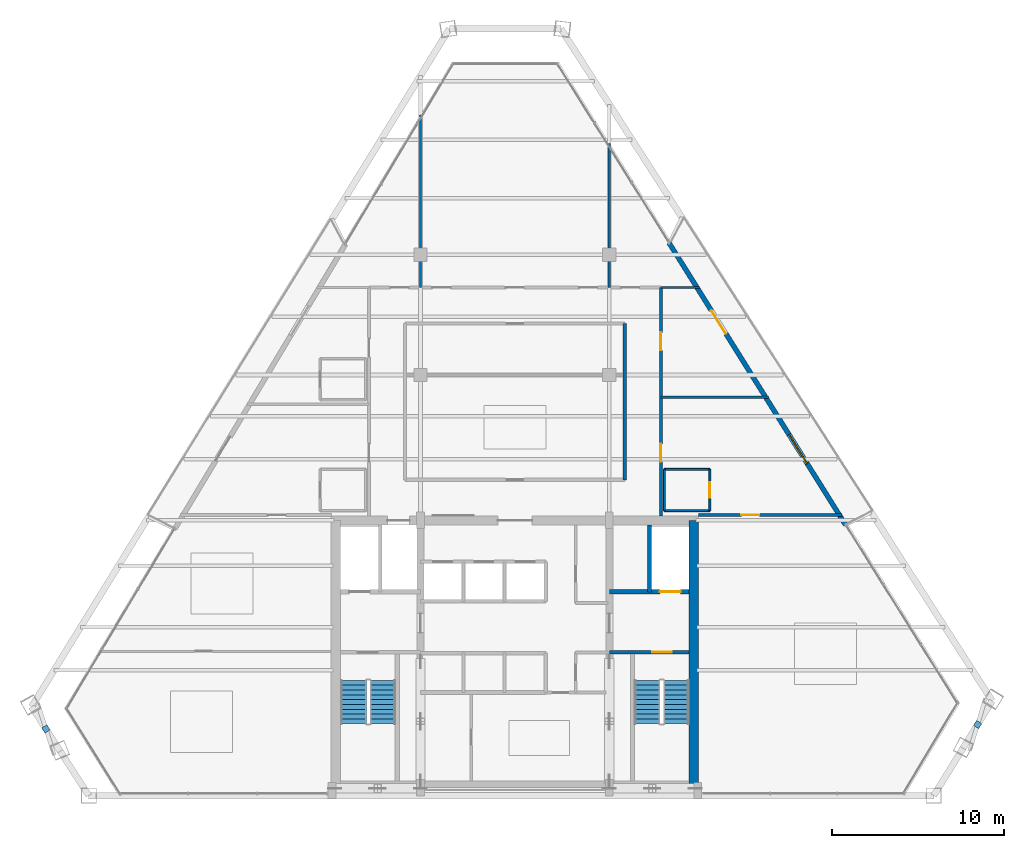
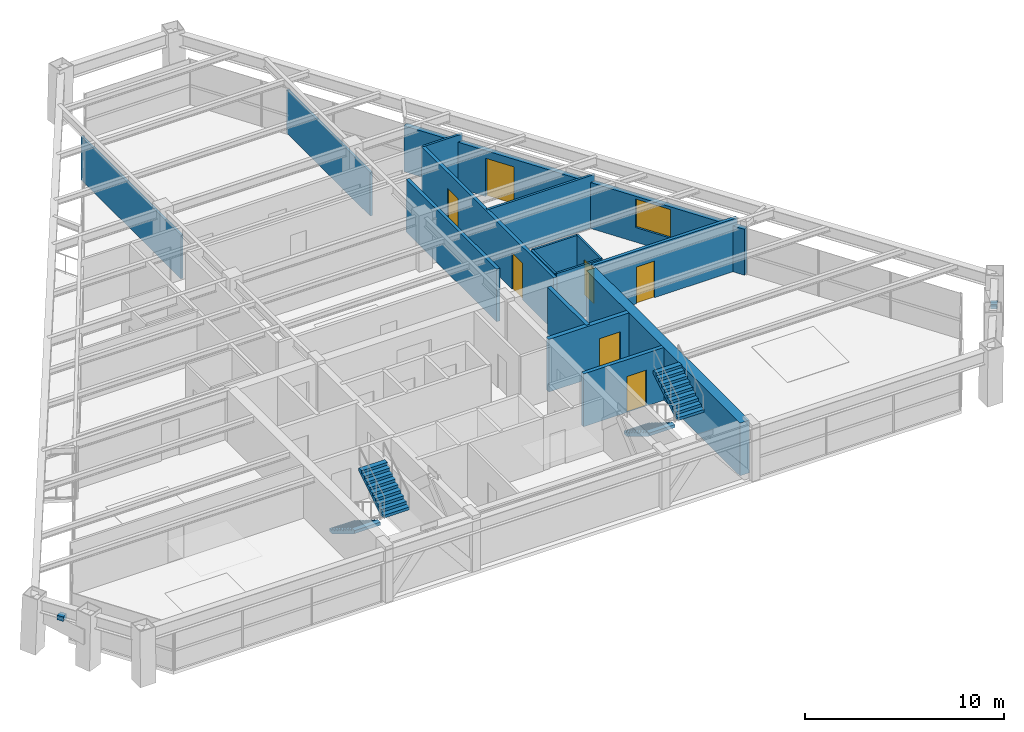
# One storey, part 10 of 12: 16 walls, 7 doors, 4 stair flights, 2 discrete accessories, 1 window, 8 openings, 2 elements without a shape of their own.
"""IFC4 building model written with IfcOpenShell, lengths in metres."""

from ifc_helpers import new_model, si_unit, direction, frame, frame_2d, origin, origin_2d, place, context, subcontext, project, spatial, polyline, rectangle, outline, extrude, source, transform, mapped, material, layer, layer_set, type_object, type_shapes, element, fill, aggregate, save


model = new_model("IFC4")

# Units and contexts
model_context = context("Model", 3, precision=1e-05, world=origin(), true_north=direction((0.0, 1.0)))
body_context = subcontext(model_context, "Body", "Model", "MODEL_VIEW")
ifc_project = project(units=[si_unit("LENGTHUNIT", "METRE"), si_unit("AREAUNIT", "SQUARE_METRE"), si_unit("VOLUMEUNIT", "CUBIC_METRE"), si_unit("PLANEANGLEUNIT", "RADIAN"), si_unit("MASSUNIT", "GRAM", prefix="KILO")], contexts=[model_context])

# Site, building, storey
site_placement = place(None, origin())
site = spatial("IfcSite", under=ifc_project, at=site_placement, CompositionType="ELEMENT")
building_placement = place(site_placement, origin())
building = spatial("IfcBuilding", under=site, at=building_placement, Name="Varnakhor Terracotta Tower", CompositionType="ELEMENT")
storey_placement = place(building_placement, frame((0.0, 0.0, 220.0)))
storey = spatial("IfcBuildingStorey", under=building, at=storey_placement, Name="L56", CompositionType="ELEMENT", Elevation=220.0)

# Walls
ifc_material_1 = material(Name="Moisture-Resistant Tile-Backed Partition", Category="gypsum")
ifc_layer_1 = layer(ifc_material_1, 0.114990234375, Name="Moisture-Resistant Tile-Backed Partition")
ifc_layer_set_1 = layer_set([ifc_layer_1], Name="Moisture-Resistant Tile-Backed Partition")
wall_type_1 = type_object("IfcWallType", Name="WAL-BATH-115", PredefinedType="PARTITIONING", material=ifc_layer_set_1)
for number, where, z_axis, x_axis, name in (
    (1, (8.699951171875, 16.60009765625, 0.0), (0.0, 0.0, 1.0), (1.0, 0.0, 0.0), "L56 En-Suite 3 Wall S"),
    (2, (8.699951171875, 19.0, 0.0), (0.0, 0.0, 1.0), (1.0, 0.0, 0.0), "L56 En-Suite 3 Wall N"),
):
    element("IfcWall", number, at=place(storey_placement, frame(where, z_axis=z_axis, x_axis=x_axis)), inside=storey, type_object=wall_type_1, Name=name, PredefinedType="PARTITIONING", context=body_context, shape_type="SweptSolid", body=[
        extrude(rectangle(XDim=2.650146484375, YDim=0.114990234375, at=frame_2d((1.3251953125, 0.0))), origin(), (0.0, 0.0, 1.0), 3.23193359375),
    ])
wall_1_placement = place(storey_placement, frame((8.699951171875, 16.60009765625, 0.0), z_axis=(0.0, 0.0, 1.0), x_axis=(0.0, 1.0, 0.0)))
element("IfcWall", 3, at=wall_1_placement, inside=storey, type_object=wall_type_1, Name="L56 En-Suite 3 Wall W", PredefinedType="PARTITIONING", context=body_context, shape_type="SweptSolid", body=[
    extrude(rectangle(XDim=2.39990234375, YDim=0.114990234375, at=frame_2d((1.199951171875, 0.0))), origin(), (0.0, 0.0, 1.0), 3.23193359375),
])

# Wall, opening, door
wall_2_placement = place(storey_placement, frame((11.35009765625, 16.60009765625, 0.0), z_axis=(0.0, 0.0, 1.0), x_axis=(0.0, 1.0, 0.0)))
wall_2 = element("IfcWall", 4, at=wall_2_placement, inside=storey, type_object=wall_type_1, Name="L56 En-Suite 3 Wall E", PredefinedType="PARTITIONING", context=body_context, shape_type="SweptSolid", body=[
    extrude(rectangle(XDim=2.39990234375, YDim=0.114990234375, at=frame_2d((1.199951171875, 0.0))), origin(), (0.0, 0.0, 1.0), 3.23193359375),
])
opening_1_placement = place(wall_2_placement, frame((0.75, 0.0, 0.0)))
opening_1 = element("IfcOpeningElement", 5, at=opening_1_placement, cuts=wall_2, Name="Opening DR-93", PredefinedType="OPENING", context=body_context, shape_type="SweptSolid", body=[
    extrude(rectangle(XDim=0.89990234375, YDim=2.14990234375, at=frame_2d((0.449951171875, 1.074951171875))), frame((0.0, 0.0673828125, 0.0), z_axis=(0.0, -1.0, 0.0), x_axis=(1.0, 0.0, 0.0)), (0.0, 0.0, 1.0), 0.135009765625),
])
ifc_material_2 = material(Name="Moisture-Resistant Accessible Bathroom Door", Category="wood")
door_type_1 = type_object("IfcDoorType", Name="DR-BATH-900X2150", OperationType="NOTDEFINED", PredefinedType="DOOR", material=ifc_material_2)
shared_shape_1 = source(origin(), body_context, "Body", "SweptSolid", [
    extrude(rectangle(XDim=0.89990234375, YDim=2.14990234375, at=frame_2d((0.449951171875, 1.074951171875))), frame((0.0, 0.02490234375, 0.0), z_axis=(0.0, -1.0, 0.0), x_axis=(1.0, 0.0, 0.0)), (0.0, 0.0, 1.0), 0.050048828125),
])
type_shapes(door_type_1, [shared_shape_1])
door_1_placement = place(opening_1_placement, origin())
door_1 = element("IfcDoor", 6, at=door_1_placement, inside=storey, type_object=door_type_1, Name="L56 En-Suite Bathroom 3 Door", OperationType="SINGLE_SWING_RIGHT", OverallHeight=2.14990234375, OverallWidth=0.89990234375, PredefinedType="DOOR", context=body_context, shape_type="MappedRepresentation", body=[
    mapped(shared_shape_1, transform((0.0, 0.0, 0.0), scale=1.0)),
])
fill(opening_1, door_1)

# Walls
ifc_material_3 = material(Name="Concrete C50/60", Category="concrete")
ifc_layer_2 = layer(ifc_material_3, 0.550048828125, Name="Concrete C50/60")
ifc_layer_set_2 = layer_set([ifc_layer_2], Name="Concrete C50/60")
wall_type_2 = type_object("IfcWallType", Name="WAL-CORE-550", PredefinedType="SHEAR", material=ifc_layer_set_2)
wall_3_placement = place(storey_placement, frame((10.425048828125, 0.574951171875, 0.0), z_axis=(0.0, 0.0, 1.0), x_axis=(0.0, 1.0, 0.0)))
element("IfcWall", 7, at=wall_3_placement, inside=storey, type_object=wall_type_2, Name="L56 East Core Shear Wall", PredefinedType="SHEAR", context=body_context, shape_type="SweptSolid", body=[
    extrude(rectangle(XDim=15.449951171875, YDim=0.550048828125, at=frame_2d((7.72509765625, 0.0))), origin(), (0.0, 0.0, 1.0), 3.239990234375),
])
ifc_material_4 = material(Name="Fire-Rated Gypsum Stud Partition", Category="gypsum")
ifc_layer_3 = layer(ifc_material_4, 0.18505859375, Name="Fire-Rated Gypsum Stud Partition")
ifc_layer_set_3 = layer_set([ifc_layer_3], Name="Fire-Rated Gypsum Stud Partition")
wall_type_3 = type_object("IfcWallType", Name="WAL-CORR-185", PredefinedType="PARTITIONING", material=ifc_layer_set_3)
wall_4_placement = place(storey_placement, frame((6.39990234375, 18.39990234375, 0.0), z_axis=(0.0, 0.0, 1.0), x_axis=(0.0, 1.0, 0.0)))
element("IfcWall", 8, at=wall_4_placement, inside=storey, type_object=wall_type_3, Name="L56 Ring Inner East Wall", PredefinedType="PARTITIONING", context=body_context, shape_type="SweptSolid", body=[
    extrude(rectangle(XDim=9.10009765625, YDim=0.18505859375, at=frame_2d((4.550048828125, 0.0))), origin(), (0.0, 0.0, 1.0), 3.23193359375),
])

# Wall, openings, doors
wall_5_placement = place(storey_placement, frame((8.5, 16.300048828125, 0.0), z_axis=(0.0, 0.0, 1.0), x_axis=(0.0, 1.0, 0.0)))
wall_5 = element("IfcWall", 9, at=wall_5_placement, inside=storey, type_object=wall_type_3, Name="L56 Hotel East Corridor Wall", PredefinedType="PARTITIONING", context=body_context, shape_type="SweptSolid", body=[
    extrude(rectangle(XDim=13.300048828125, YDim=0.18505859375, at=frame_2d((6.64990234375, 0.0))), origin(), (0.0, 0.0, 1.0), 3.23193359375),
])
opening_2_placement = place(wall_5_placement, frame((3.135986328125, 0.0, 0.0)))
opening_2 = element("IfcOpeningElement", 10, at=opening_2_placement, cuts=wall_5, Name="Opening DR-95", PredefinedType="OPENING", context=body_context, shape_type="SweptSolid", body=[
    extrude(rectangle(XDim=1.050048828125, YDim=2.25, at=frame_2d((0.52490234375, 1.125))), frame((0.0, 0.1025390625, 0.0), z_axis=(0.0, -1.0, 0.0), x_axis=(1.0, 0.0, 0.0)), (0.0, 0.0, 1.0), 0.205078125),
])
opening_3_placement = place(wall_5_placement, frame((9.6357421875, 0.0, 0.0)))
opening_3 = element("IfcOpeningElement", 11, at=opening_3_placement, cuts=wall_5, Name="Opening DR-95", PredefinedType="OPENING", context=body_context, shape_type="SweptSolid", body=[
    extrude(rectangle(XDim=1.050048828125, YDim=2.25, at=frame_2d((0.52490234375, 1.125))), frame((0.0, 0.1025390625, 0.0), z_axis=(0.0, -1.0, 0.0), x_axis=(1.0, 0.0, 0.0)), (0.0, 0.0, 1.0), 0.205078125),
])
ifc_material_5 = material(Name="Solid-Core Timber Tenant/Hotel Entrance Door", Category="wood")
door_type_2 = type_object("IfcDoorType", Name="DR-SUITE-1050X2250", OperationType="NOTDEFINED", PredefinedType="DOOR", material=ifc_material_5)
shared_shape_2 = source(origin(), body_context, "Body", "SweptSolid", [
    extrude(rectangle(XDim=1.050048828125, YDim=2.25, at=frame_2d((0.52490234375, 1.125))), frame((0.0, 0.02490234375, 0.0), z_axis=(0.0, -1.0, 0.0), x_axis=(1.0, 0.0, 0.0)), (0.0, 0.0, 1.0), 0.050048828125),
])
type_shapes(door_type_2, [shared_shape_2])
door_2_placement = place(opening_2_placement, origin())
door_2 = element("IfcDoor", 12, at=door_2_placement, inside=storey, type_object=door_type_2, Name="L56 East Room 1 Entry Door", OperationType="SINGLE_SWING_LEFT", OverallHeight=2.25, OverallWidth=1.050048828125, PredefinedType="DOOR", context=body_context, shape_type="MappedRepresentation", body=[
    mapped(shared_shape_2, transform((0.0, 0.0, 0.0), scale=1.0)),
])
fill(opening_2, door_2)
door_3_placement = place(opening_3_placement, origin())
door_3 = element("IfcDoor", 13, at=door_3_placement, inside=storey, type_object=door_type_2, Name="L56 East Room 2 Entry Door", OperationType="SINGLE_SWING_RIGHT", OverallHeight=2.25, OverallWidth=1.050048828125, PredefinedType="DOOR", context=body_context, shape_type="MappedRepresentation", body=[
    mapped(shared_shape_2, transform((0.0, 0.0, 0.0), scale=1.0)),
])
fill(opening_3, door_3)

# Wall, opening, door
wall_6_placement = place(storey_placement, frame((10.679931640625, 16.35009765625, 0.0), z_axis=(0.0, 0.0, 1.0), x_axis=(1.0, 0.0, 0.0)))
wall_6 = element("IfcWall", 14, at=wall_6_placement, inside=storey, type_object=wall_type_3, Name="L56 South East Guest Entry Wall", PredefinedType="PARTITIONING", context=body_context, shape_type="SweptSolid", body=[
    extrude(rectangle(XDim=8.370849609375, YDim=0.18505859375, at=frame_2d((4.185546875, 0.0))), origin(), (0.0, 0.0, 1.0), 3.23193359375),
])
opening_4_placement = place(wall_6_placement, frame((2.5068359375, 0.0, 0.0)))
opening_4 = element("IfcOpeningElement", 15, at=opening_4_placement, cuts=wall_6, Name="Opening DR-95", PredefinedType="OPENING", context=body_context, shape_type="SweptSolid", body=[
    extrude(rectangle(XDim=1.050048828125, YDim=2.25, at=frame_2d((0.52490234375, 1.125))), frame((0.0, 0.1025390625, 0.0), z_axis=(0.0, -1.0, 0.0), x_axis=(1.0, 0.0, 0.0)), (0.0, 0.0, 1.0), 0.205078125),
])
door_4_placement = place(opening_4_placement, origin())
door_4 = element("IfcDoor", 16, at=door_4_placement, inside=storey, type_object=door_type_2, Name="L56 SE Suite Entry Door", OperationType="SINGLE_SWING_RIGHT", OverallHeight=2.25, OverallWidth=1.050048828125, PredefinedType="DOOR", context=body_context, shape_type="MappedRepresentation", body=[
    mapped(shared_shape_2, transform((0.0, 0.0, 0.0), scale=1.0)),
])
fill(opening_4, door_4)

# Wall, openings, door, window
ifc_material_6 = material(Name="Extruded Architectural Terracotta Assembly", Category="masonry")
ifc_layer_4 = layer(ifc_material_6, 0.280029296875, Name="Extruded Architectural Terracotta Assembly")
ifc_layer_set_4 = layer_set([ifc_layer_4], Name="Extruded Architectural Terracotta Assembly")
wall_type_4 = type_object("IfcWallType", Name="WAL-EXT-TERRACOTTA-280", PredefinedType="SOLIDWALL", material=ifc_layer_set_4)
wall_7_placement = place(storey_placement, frame((8.974609375, 32.20361328125, 0.0), z_axis=(0.0, 0.0, 1.0), x_axis=(0.530553627254, -0.847651372091, 0.0)))
wall_7 = element("IfcWall", 17, at=wall_7_placement, inside=storey, type_object=wall_type_4, Name="L56 E Loggia Insulated Terracotta Wall", PredefinedType="SOLIDWALL", context=body_context, shape_type="SweptSolid", body=[
    extrude(rectangle(XDim=19.382080078125, YDim=0.280029296875, at=frame_2d((9.69091796875, 0.0))), origin(), (0.0, 0.0, 1.0), 2.820068359375),
])
opening_5_placement = place(wall_7_placement, frame((4.651611328125, 0.0, 0.0)))
opening_5 = element("IfcOpeningElement", 18, at=opening_5_placement, cuts=wall_7, Name="Opening DR-62", PredefinedType="OPENING", context=body_context, shape_type="SweptSolid", body=[
    extrude(rectangle(XDim=1.60009765625, YDim=2.35009765625, at=frame_2d((0.800048828125, 1.175048828125))), frame((0.0, 0.14990234375, 0.0), z_axis=(0.0, -1.0, 0.0), x_axis=(1.0, 0.0, 0.0)), (0.0, 0.0, 1.0), 0.300048828125),
])
opening_6_placement = place(wall_7_placement, frame((13.1796875, 0.0, 0.89990234375)))
opening_6 = element("IfcOpeningElement", 19, at=opening_6_placement, cuts=wall_7, Name="Opening WN-63", PredefinedType="OPENING", context=body_context, shape_type="SweptSolid", body=[
    extrude(rectangle(XDim=2.0, YDim=1.75, at=frame_2d((1.0, 0.875))), frame((0.0, 0.14990234375, 0.0), z_axis=(0.0, -1.0, 0.0), x_axis=(1.0, 0.0, 0.0)), (0.0, 0.0, 1.0), 0.300048828125),
])
ifc_material_7 = material(Name="Thermally Broken Sliding Glass Loggia Door", Category="glass")
door_type_3 = type_object("IfcDoorType", Name="DR-EXT-LOGGIA-1600X2350", OperationType="NOTDEFINED", PredefinedType="DOOR", material=ifc_material_7)
shared_shape_3 = source(origin(), body_context, "Body", "SweptSolid", [
    extrude(rectangle(XDim=1.60009765625, YDim=2.35009765625, at=frame_2d((0.800048828125, 1.175048828125))), frame((0.0, 0.02490234375, 0.0), z_axis=(0.0, -1.0, 0.0), x_axis=(1.0, 0.0, 0.0)), (0.0, 0.0, 1.0), 0.050048828125),
])
type_shapes(door_type_3, [shared_shape_3])
door_5_placement = place(opening_5_placement, origin())
door_5 = element("IfcDoor", 20, at=door_5_placement, inside=storey, type_object=door_type_3, Name="L56 E Recessed Loggia Sliding Door", OperationType="SLIDING_TO_RIGHT", OverallHeight=2.35009765625, OverallWidth=1.60009765625, PredefinedType="DOOR", context=body_context, shape_type="MappedRepresentation", body=[
    mapped(shared_shape_3, transform((0.0, 0.0, 0.0), scale=1.0)),
])
fill(opening_5, door_5)
ifc_material_8 = material(Name="Solar-Control Low-E Insulated Glass Unit", Category="glass")
window_type = type_object("IfcWindowType", Name="WIN-HTL-2000X1950", PartitioningType="SINGLE_PANEL", PredefinedType="WINDOW", material=ifc_material_8)
shared_shape_4 = source(origin(), body_context, "Body", "SweptSolid", [
    extrude(rectangle(XDim=2.0, YDim=1.75, at=frame_2d((1.0, 0.875))), frame((0.0, 0.030029296875, 0.0), z_axis=(0.0, -1.0, 0.0), x_axis=(1.0, 0.0, 0.0)), (0.0, 0.0, 1.0), 0.06005859375),
])
type_shapes(window_type, [shared_shape_4])
window_placement = place(opening_6_placement, origin())
window = element("IfcWindow", 21, at=window_placement, inside=storey, type_object=window_type, Name="L56 E Facet Punched Window", OverallHeight=1.75, OverallWidth=2.0, PartitioningType="SINGLE_PANEL", PredefinedType="WINDOW", context=body_context, shape_type="MappedRepresentation", body=[
    mapped(shared_shape_4, transform((0.0, 0.0, 0.0), scale=1.0)),
])
fill(opening_6, window)

# Wall, opening, door
ifc_material_9 = material(Name="Concrete C40/50", Category="concrete")
ifc_layer_5 = layer(ifc_material_9, 0.219970703125, Name="Concrete C40/50")
ifc_layer_set_5 = layer_set([ifc_layer_5], Name="Concrete C40/50")
wall_type_5 = type_object("IfcWallType", Name="WAL-FFLOBBY-220", PredefinedType="SOLIDWALL", material=ifc_layer_set_5)
wall_8_placement = place(storey_placement, frame((10.14990234375, 8.35009765625, 0.0), z_axis=(0.0, 0.0, 1.0), x_axis=(-1.0, 0.0, 0.0)))
wall_8 = element("IfcWall", 22, at=wall_8_placement, inside=storey, type_object=wall_type_5, Name="L56 East Firefighting Lobby Stair Wall", PredefinedType="SOLIDWALL", context=body_context, shape_type="SweptSolid", body=[
    extrude(rectangle(XDim=4.64990234375, YDim=0.219970703125, at=frame_2d((2.324951171875, 0.0))), origin(), (0.0, 0.0, 1.0), 3.239990234375),
])
opening_7_placement = place(wall_8_placement, frame((1.0, 0.0, 0.0)))
opening_7 = element("IfcOpeningElement", 23, at=opening_7_placement, cuts=wall_8, Name="Opening DR-34", PredefinedType="OPENING", context=body_context, shape_type="SweptSolid", body=[
    extrude(rectangle(XDim=1.14990234375, YDim=2.199951171875, at=frame_2d((0.574951171875, 1.10009765625))), frame((0.0, 0.1201171875, 0.0), z_axis=(0.0, -1.0, 0.0), x_axis=(1.0, 0.0, 0.0)), (0.0, 0.0, 1.0), 0.239990234375),
])
ifc_material_10 = material(Name="Self-Closing Smoke-Sealed Steel Fire Door", Category="steel")
door_type_4 = type_object("IfcDoorType", Name="DR-STAIR-1150X2200", OperationType="NOTDEFINED", PredefinedType="DOOR", material=ifc_material_10)
shared_shape_5 = source(origin(), body_context, "Body", "SweptSolid", [
    extrude(rectangle(XDim=1.14990234375, YDim=2.199951171875, at=frame_2d((0.574951171875, 1.10009765625))), frame((0.0, 0.02490234375, 0.0), z_axis=(0.0, -1.0, 0.0), x_axis=(1.0, 0.0, 0.0)), (0.0, 0.0, 1.0), 0.050048828125),
])
type_shapes(door_type_4, [shared_shape_5])
door_6_placement = place(opening_7_placement, origin())
door_6 = element("IfcDoor", 24, at=door_6_placement, inside=storey, type_object=door_type_4, Name="L56 Exit Stair ST-2 Fire Door", OperationType="SINGLE_SWING_LEFT", OverallHeight=2.199951171875, OverallWidth=1.14990234375, PredefinedType="DOOR", context=body_context, shape_type="MappedRepresentation", body=[
    mapped(shared_shape_5, transform((0.0, 0.0, 0.0), scale=1.0)),
])
fill(opening_7, door_6)

# Walls
ifc_material_11 = material(Name="Acoustic Hotel Room Partition", Category="gypsum")
ifc_layer_6 = layer(ifc_material_11, 0.1298828125, Name="Acoustic Hotel Room Partition")
ifc_layer_set_6 = layer_set([ifc_layer_6], Name="Acoustic Hotel Room Partition")
wall_type_6 = type_object("IfcWallType", Name="WAL-PART-130", PredefinedType="PARTITIONING", material=ifc_layer_set_6)
wall_9_placement = place(storey_placement, frame((8.5, 29.60009765625, 0.0), z_axis=(0.0, 0.0, 1.0), x_axis=(1.0, 0.0, 0.0)))
element("IfcWall", 25, at=wall_9_placement, inside=storey, type_object=wall_type_6, Name="L56 North East Suite South Wall", PredefinedType="PARTITIONING", context=body_context, shape_type="SweptSolid", body=[
    extrude(rectangle(XDim=2.2578125, YDim=0.1298828125, at=frame_2d((1.12890625, 0.0))), origin(), (0.0, 0.0, 1.0), 3.23193359375),
])
wall_10_placement = place(storey_placement, frame((-5.5, 29.60009765625, 0.0), z_axis=(0.0, 0.0, 1.0), x_axis=(0.0, 1.0, 0.0)))
element("IfcWall", 26, at=wall_10_placement, inside=storey, type_object=wall_type_6, Name="L56 North West Column Wall", PredefinedType="PARTITIONING", context=body_context, shape_type="SweptSolid", body=[
    extrude(rectangle(XDim=10.0546875, YDim=0.1298828125, at=frame_2d((5.02734375, 0.0))), origin(), (0.0, 0.0, 1.0), 2.68310546875),
])
wall_11_placement = place(storey_placement, frame((5.5, 29.60009765625, 0.0), z_axis=(0.0, 0.0, 1.0), x_axis=(0.0, 1.0, 0.0)))
element("IfcWall", 27, at=wall_11_placement, inside=storey, type_object=wall_type_6, Name="L56 North East Column Wall", PredefinedType="PARTITIONING", context=body_context, shape_type="SweptSolid", body=[
    extrude(rectangle(XDim=8.400390625, YDim=0.1298828125, at=frame_2d((4.2001953125, 0.0))), origin(), (0.0, 0.0, 1.0), 2.68310546875),
])
wall_12_placement = place(storey_placement, frame((8.5, 23.199951171875, 0.0), z_axis=(0.0, 0.0, 1.0), x_axis=(1.0, 0.0, 0.0)))
element("IfcWall", 28, at=wall_12_placement, inside=storey, type_object=wall_type_6, Name="L56 East Key Cut 1", PredefinedType="PARTITIONING", context=body_context, shape_type="SweptSolid", body=[
    extrude(rectangle(XDim=6.263427734375, YDim=0.1298828125, at=frame_2d((3.1318359375, 0.0))), origin(), (0.0, 0.0, 1.0), 3.23193359375),
])
ifc_layer_7 = layer(ifc_material_9, 0.219970703125, Name="Concrete C40/50")
ifc_layer_set_7 = layer_set([ifc_layer_7], Name="Concrete C40/50")
wall_type_7 = type_object("IfcWallType", Name="WAL-SHAFT-220", PredefinedType="SOLIDWALL", material=ifc_layer_set_7)
wall_13_placement = place(storey_placement, frame((7.840087890625, 11.8701171875, 0.0), z_axis=(0.0, 0.0, 1.0), x_axis=(0.0, 1.0, 0.0)))
element("IfcWall", 29, at=wall_13_placement, inside=storey, type_object=wall_type_7, Name="L56 Lift FFL-2 and Riser Divider Wall", PredefinedType="SOLIDWALL", context=body_context, shape_type="SweptSolid", body=[
    extrude(rectangle(XDim=3.8798828125, YDim=0.219970703125, at=frame_2d((1.93994140625, 0.0))), origin(), (0.0, 0.0, 1.0), 3.239990234375),
])

# Wall, opening, door
ifc_layer_8 = layer(ifc_material_9, 0.25, Name="Concrete C40/50")
ifc_layer_set_8 = layer_set([ifc_layer_8], Name="Concrete C40/50")
wall_type_8 = type_object("IfcWallType", Name="WAL-SHAFT-250", PredefinedType="SOLIDWALL", material=ifc_layer_set_8)
wall_14_placement = place(storey_placement, frame((10.14990234375, 11.8701171875, 0.0), z_axis=(0.0, 0.0, 1.0), x_axis=(-1.0, 0.0, 0.0)))
wall_14 = element("IfcWall", 30, at=wall_14_placement, inside=storey, type_object=wall_type_8, Name="L56 Lift FFL-2 Shaft Front Wall", PredefinedType="SOLIDWALL", context=body_context, shape_type="SweptSolid", body=[
    extrude(rectangle(XDim=4.64990234375, YDim=0.25, at=frame_2d((2.324951171875, 0.0))), origin(), (0.0, 0.0, 1.0), 3.239990234375),
])
opening_8_placement = place(wall_14_placement, frame((0.5, 0.0, 0.0)))
opening_8 = element("IfcOpeningElement", 31, at=opening_8_placement, cuts=wall_14, Name="Opening LD-02", PredefinedType="OPENING", context=body_context, shape_type="SweptSolid", body=[
    extrude(rectangle(XDim=1.199951171875, YDim=2.25, at=frame_2d((0.60009765625, 1.125))), frame((0.0, 0.135009765625, 0.0), z_axis=(0.0, -1.0, 0.0), x_axis=(1.0, 0.0, 0.0)), (0.0, 0.0, 1.0), 0.27001953125),
])
ifc_material_12 = material(Name="Firefighting Stretcher Sliding Lift Landing Door", Category="steel")
door_type_5 = type_object("IfcDoorType", Name="LD-FFL-1200X2250", OperationType="NOTDEFINED", PredefinedType="DOOR", material=ifc_material_12)
shared_shape_6 = source(origin(), body_context, "Body", "SweptSolid", [
    extrude(rectangle(XDim=1.199951171875, YDim=2.25, at=frame_2d((0.60009765625, 1.125))), frame((0.0, 0.02490234375, 0.0), z_axis=(0.0, -1.0, 0.0), x_axis=(1.0, 0.0, 0.0)), (0.0, 0.0, 1.0), 0.050048828125),
])
type_shapes(door_type_5, [shared_shape_6])
door_7_placement = place(opening_8_placement, origin())
door_7 = element("IfcDoor", 32, at=door_7_placement, inside=storey, type_object=door_type_5, Name="L56 Firefighting Lift FFL-2 Landing Door", OperationType="SLIDING_TO_RIGHT", OverallHeight=2.25, OverallWidth=1.199951171875, PredefinedType="DOOR", context=body_context, shape_type="MappedRepresentation", body=[
    mapped(shared_shape_6, transform((0.0, 0.0, 0.0), scale=1.0)),
])
fill(opening_8, door_7)

# Stair, stair flights
stair_type = type_object("IfcStairType", Name="STR-CORE-HOTEL-1500", PredefinedType="HALF_TURN_STAIR", material=ifc_material_9)
stair_1_placement = place(storey_placement, origin())
stair_1 = element("IfcStair", 33, at=stair_1_placement, inside=storey, type_object=stair_type, Name="L56 Core Exit Stair ST-1", PredefinedType="HALF_TURN_STAIR")
stair_flight_type = type_object("IfcStairFlightType", Name="FLT-HOTEL-1500", PredefinedType="STRAIGHT", material=ifc_material_9)
stair_flight_1_placement = place(storey_placement, frame((-9.39990234375, 6.7099609375, 0.0), z_axis=(0.0, 0.0, 1.0), x_axis=(0.0, -1.0, 0.0)))
stair_flight_1 = element("IfcStairFlight", 34, at=stair_flight_1_placement, type_object=stair_flight_type, Name="ST-1 flight 1", NumberOfRisers=10, NumberOfTreads=9, PredefinedType="STRAIGHT", RiserHeight=0.1725, TreadLength=0.28, context=body_context, shape_type="SweptSolid", body=[
    extrude(outline(polyline([(0.0, 0.0), (0.0, 0.172607421875), (0.280029296875, 0.172607421875), (0.280029296875, 0.344970703125), (0.56005859375, 0.344970703125), (0.56005859375, 0.517578125), (0.840087890625, 0.517578125), (0.840087890625, 0.68994140625), (1.1201171875, 0.68994140625), (1.1201171875, 0.862548828125), (1.39990234375, 0.862548828125), (1.39990234375, 1.034912109375), (1.679931640625, 1.034912109375), (1.679931640625, 1.20751953125), (1.9599609375, 1.20751953125), (1.9599609375, 1.3798828125), (2.239990234375, 1.3798828125), (2.239990234375, 1.552490234375), (2.52001953125, 1.552490234375), (2.52001953125, 1.72509765625), (2.52001953125, 1.36474609375), (0.304931640625, 0.0), (0.0, 0.0)])), frame((0.0, 0.75, 0.0), z_axis=(0.0, -1.0, 0.0), x_axis=(1.0, 0.0, 0.0)), (0.0, 0.0, 1.0), 1.5),
])
stair_flight_2_placement = place(storey_placement, frame((-7.699951171875, 4.18994140625, 1.72509765625), z_axis=(0.0, 0.0, 1.0), x_axis=(0.0, 1.0, 0.0)))
stair_flight_2 = element("IfcStairFlight", 35, at=stair_flight_2_placement, type_object=stair_flight_type, Name="ST-1 flight 2", NumberOfRisers=10, NumberOfTreads=9, PredefinedType="STRAIGHT", RiserHeight=0.1725, TreadLength=0.28, context=body_context, shape_type="SweptSolid", body=[
    extrude(outline(polyline([(0.0, 0.0), (0.0, 0.172607421875), (0.280029296875, 0.172607421875), (0.280029296875, 0.344970703125), (0.56005859375, 0.344970703125), (0.56005859375, 0.517578125), (0.840087890625, 0.517578125), (0.840087890625, 0.68994140625), (1.1201171875, 0.68994140625), (1.1201171875, 0.862548828125), (1.39990234375, 0.862548828125), (1.39990234375, 1.034912109375), (1.679931640625, 1.034912109375), (1.679931640625, 1.20751953125), (1.9599609375, 1.20751953125), (1.9599609375, 1.3798828125), (2.239990234375, 1.3798828125), (2.239990234375, 1.552490234375), (2.52001953125, 1.552490234375), (2.52001953125, 1.72509765625), (2.52001953125, 1.36474609375), (0.304931640625, 0.0), (0.0, 0.0)])), frame((0.0, 0.75, 0.0), z_axis=(0.0, -1.0, 0.0), x_axis=(1.0, 0.0, 0.0)), (0.0, 0.0, 1.0), 1.5),
])
aggregate(stair_1, [stair_flight_1, stair_flight_2])

stair_2_placement = place(storey_placement, origin())
stair_2 = element("IfcStair", 36, at=stair_2_placement, inside=storey, type_object=stair_type, Name="L56 Core Exit Stair ST-2", PredefinedType="HALF_TURN_STAIR")
stair_flight_3_placement = place(storey_placement, frame((7.699951171875, 6.7099609375, 0.0), z_axis=(0.0, 0.0, 1.0), x_axis=(0.0, -1.0, 0.0)))
stair_flight_3 = element("IfcStairFlight", 37, at=stair_flight_3_placement, type_object=stair_flight_type, Name="ST-2 flight 1", NumberOfRisers=10, NumberOfTreads=9, PredefinedType="STRAIGHT", RiserHeight=0.1725, TreadLength=0.28, context=body_context, shape_type="SweptSolid", body=[
    extrude(outline(polyline([(0.0, 0.0), (0.0, 0.172607421875), (0.280029296875, 0.172607421875), (0.280029296875, 0.344970703125), (0.56005859375, 0.344970703125), (0.56005859375, 0.517578125), (0.840087890625, 0.517578125), (0.840087890625, 0.68994140625), (1.1201171875, 0.68994140625), (1.1201171875, 0.862548828125), (1.39990234375, 0.862548828125), (1.39990234375, 1.034912109375), (1.679931640625, 1.034912109375), (1.679931640625, 1.20751953125), (1.9599609375, 1.20751953125), (1.9599609375, 1.3798828125), (2.239990234375, 1.3798828125), (2.239990234375, 1.552490234375), (2.52001953125, 1.552490234375), (2.52001953125, 1.72509765625), (2.52001953125, 1.36474609375), (0.304931640625, 0.0), (0.0, 0.0)])), frame((0.0, 0.75, 0.0), z_axis=(0.0, -1.0, 0.0), x_axis=(1.0, 0.0, 0.0)), (0.0, 0.0, 1.0), 1.5),
])
stair_flight_4_placement = place(storey_placement, frame((9.39990234375, 4.18994140625, 1.72509765625), z_axis=(0.0, 0.0, 1.0), x_axis=(0.0, 1.0, 0.0)))
stair_flight_4 = element("IfcStairFlight", 38, at=stair_flight_4_placement, type_object=stair_flight_type, Name="ST-2 flight 2", NumberOfRisers=10, NumberOfTreads=9, PredefinedType="STRAIGHT", RiserHeight=0.1725, TreadLength=0.28, context=body_context, shape_type="SweptSolid", body=[
    extrude(outline(polyline([(0.0, 0.0), (0.0, 0.172607421875), (0.280029296875, 0.172607421875), (0.280029296875, 0.344970703125), (0.56005859375, 0.344970703125), (0.56005859375, 0.517578125), (0.840087890625, 0.517578125), (0.840087890625, 0.68994140625), (1.1201171875, 0.68994140625), (1.1201171875, 0.862548828125), (1.39990234375, 0.862548828125), (1.39990234375, 1.034912109375), (1.679931640625, 1.034912109375), (1.679931640625, 1.20751953125), (1.9599609375, 1.20751953125), (1.9599609375, 1.3798828125), (2.239990234375, 1.3798828125), (2.239990234375, 1.552490234375), (2.52001953125, 1.552490234375), (2.52001953125, 1.72509765625), (2.52001953125, 1.36474609375), (0.304931640625, 0.0), (0.0, 0.0)])), frame((0.0, 0.75, 0.0), z_axis=(0.0, -1.0, 0.0), x_axis=(1.0, 0.0, 0.0)), (0.0, 0.0, 1.0), 1.5),
])
aggregate(stair_2, [stair_flight_3, stair_flight_4])

# Discrete accessories
ifc_material_13 = material(Name="Stainless Steel Fixing Bracket", Category="steel")
discrete_accessory_type = type_object("IfcDiscreteAccessoryType", Name="BRACKET-TERRACOTTA-SCREEN", PredefinedType="BRACKET", material=ifc_material_13)
shared_shape_7 = source(origin(), body_context, "Body", "SweptSolid", [
    extrude(rectangle(XDim=0.35009765625, YDim=0.35009765625, at=origin_2d()), origin(), (0.0, 0.0, 1.0), 0.280029296875),
])
type_shapes(discrete_accessory_type, [shared_shape_7])
for number, where, z_axis, x_axis, name in (
    (39, (26.95068359375, 4.140380859375, 2.3369140625), (0.0, 0.0, 1.0), (0.524624972237, 0.851333447308, 0.0), "L56 E Screen Fixing Bracket"),
    (40, (-27.3212890625, 3.884765625, 2.3369140625), (0.0, 0.0, 1.0), (0.540093440912, -0.841605058851, 0.0), "L56 W Screen Fixing Bracket"),
):
    element("IfcDiscreteAccessory", number, at=place(storey_placement, frame(where, z_axis=z_axis, x_axis=x_axis)), inside=storey, type_object=discrete_accessory_type, Name=name, PredefinedType="BRACKET", context=body_context, shape_type="MappedRepresentation", body=[
        mapped(shared_shape_7, transform((0.0, 0.0, 0.0), scale=1.0)),
    ])

save(model, "model.ifc")
